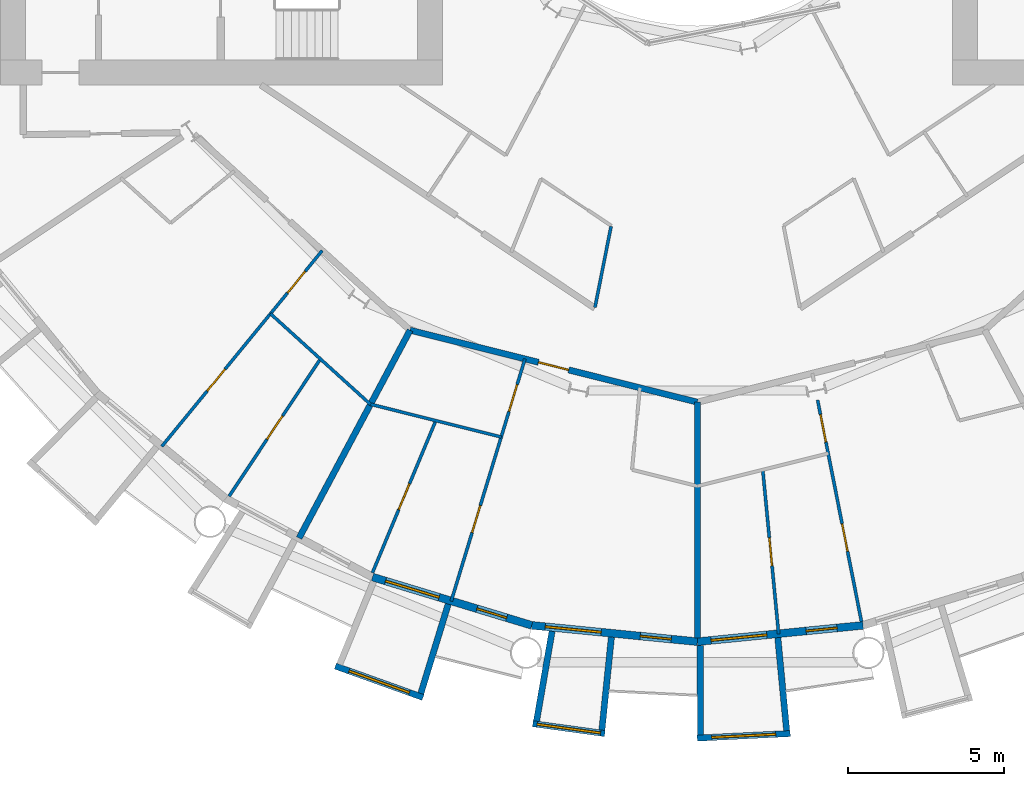
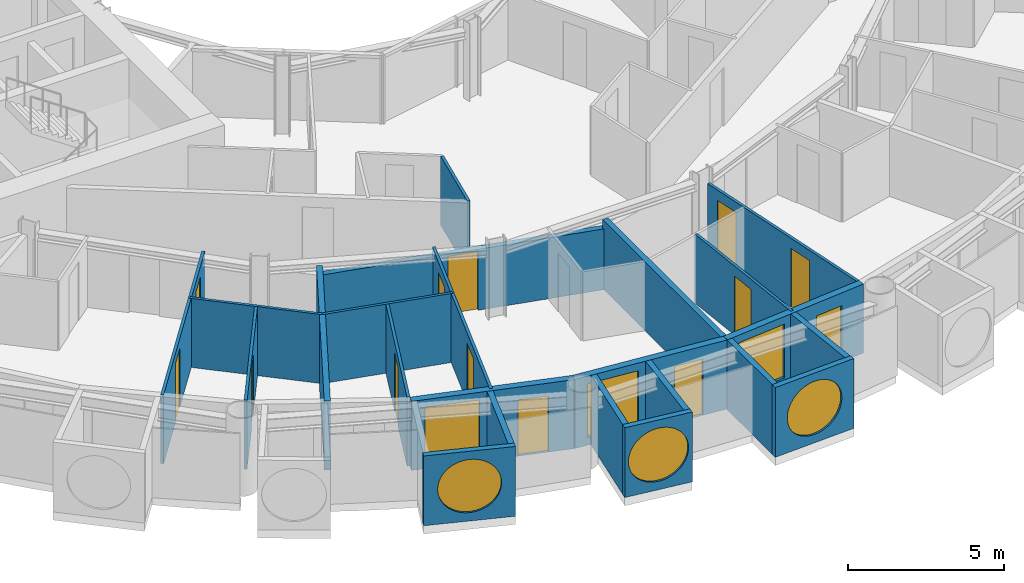
# One storey, part 13 of 26: 23 walls, 13 doors, 6 windows, 19 openings.
"""IFC4 building model written with IfcOpenShell, lengths in metres."""

from ifc_helpers import new_model, si_unit, direction, frame, frame_2d, origin, place, context, subcontext, project, spatial, rectangle, circle, extrude, material, layer, layer_set, type_object, element, fill, save


model = new_model("IFC4")

# Units and contexts
model_context = context("Model", 3, precision=1e-05, world=origin(), true_north=direction((0.0, 1.0)))
body_context = subcontext(model_context, "Body", "Model", "MODEL_VIEW")
ifc_project = project(units=[si_unit("LENGTHUNIT", "METRE"), si_unit("AREAUNIT", "SQUARE_METRE"), si_unit("VOLUMEUNIT", "CUBIC_METRE"), si_unit("PLANEANGLEUNIT", "RADIAN"), si_unit("MASSUNIT", "GRAM", prefix="KILO")], contexts=[model_context])

# Site, building, storey
site_placement = place(None, origin())
site = spatial("IfcSite", under=ifc_project, at=site_placement, CompositionType="ELEMENT")
building_placement = place(site_placement, origin())
building = spatial("IfcBuilding", under=site, at=building_placement, Name="Maasbend Ring Residences", CompositionType="ELEMENT")
storey_placement = place(building_placement, frame((0.0, 0.0, 28.89990234375)))
storey = spatial("IfcBuildingStorey", under=building, at=storey_placement, Name="L07", CompositionType="ELEMENT", Elevation=28.89990234375)

# Wall, opening, door
ifc_material_1 = material(Name="Concrete C30/37", Category="concrete")
ifc_layer_1 = layer(ifc_material_1, 0.199951171875)
ifc_layer_set_1 = layer_set([ifc_layer_1], Name="Concrete C30/37")
wall_type_1 = type_object("IfcWallType", Name="CORRIDOR WALL 200 CONCRETE", PredefinedType="PARTITIONING", material=ifc_layer_set_1)
wall_1_placement = place(storey_placement, frame((-9.241943359375, -17.283935546875, 0.0), z_axis=(0.0, 0.0, 1.0), x_axis=(0.970002158938, -0.243096301198, 0.0)))
wall_1 = element("IfcWall", 1, at=wall_1_placement, inside=storey, type_object=wall_type_1, Name="U-L07-w012", PredefinedType="PARTITIONING", context=body_context, shape_type="SweptSolid", body=[
    extrude(rectangle(XDim=9.52783203125, YDim=0.199951171875, at=frame_2d((4.763916015625, 0.0))), origin(), (0.0, 0.0, 1.0), 2.380126953125),
])
opening_1_placement = place(wall_1_placement, frame((4.261962890625, 0.0, 0.0)))
opening_1 = element("IfcOpeningElement", 2, at=opening_1_placement, cuts=wall_1, Name="Opening D-0734", PredefinedType="OPENING", context=body_context, shape_type="SweptSolid", body=[
    extrude(rectangle(XDim=1.0, YDim=2.300048828125, at=frame_2d((0.5, 1.14990234375))), frame((0.0, 0.10986328125, 0.0), z_axis=(0.0, -1.0, 0.0), x_axis=(1.0, 0.0, 0.0)), (0.0, 0.0, 1.0), 0.219970703125),
])
ifc_material_2 = material(Name="Timber, fire-rated, painted", Category="wood")
door_type_1 = type_object("IfcDoorType", Name="FLAT ENTRANCE DOOR 1000 X 2300 FIRE-RATED", OperationType="NOTDEFINED", PredefinedType="DOOR", material=ifc_material_2)
door_1_placement = place(opening_1_placement, origin())
door_1 = element("IfcDoor", 3, at=door_1_placement, inside=storey, type_object=door_type_1, Name="D-0734", OperationType="SINGLE_SWING_LEFT", OverallHeight=2.300048828125, OverallWidth=1.0, PredefinedType="DOOR", context=body_context, shape_type="SweptSolid", body=[
    extrude(rectangle(XDim=1.0, YDim=2.300048828125, at=frame_2d((0.5, 1.14990234375))), frame((0.0, 0.02490234375, 0.0), z_axis=(0.0, -1.0, 0.0), x_axis=(1.0, 0.0, 0.0)), (0.0, 0.0, 1.0), 0.050048828125),
])
fill(opening_1, door_1)

# Wall, opening, window
ifc_material_3 = material(Name="Pale anodised aluminium panel", Category="aluminium")
ifc_layer_2 = layer(ifc_material_3, 0.199951171875)
ifc_layer_set_2 = layer_set([ifc_layer_2], Name="EW-BOX")
wall_type_2 = type_object("IfcWallType", Name="EW-BOX", PredefinedType="SOLIDWALL", material=ifc_layer_set_2)
wall_2_placement = place(storey_placement, frame((-11.637939453125, -28.083984375, -0.02978515625), z_axis=(0.0, 0.0, 1.0), x_axis=(0.941461077774, -0.337121697664, 0.0)))
wall_2 = element("IfcWall", 4, at=wall_2_placement, inside=storey, type_object=wall_type_2, Name="Box front S07", PredefinedType="SOLIDWALL", context=body_context, shape_type="SweptSolid", body=[
    extrude(rectangle(XDim=2.9931640625, YDim=0.199951171875, at=frame_2d((1.49658203125, 0.0))), origin(), (0.0, 0.0, 1.0), 2.72998046875),
])
opening_2_placement = place(wall_2_placement, frame((0.45654296875, 0.0, 0.330078125)))
opening_2 = element("IfcOpeningElement", 5, at=opening_2_placement, cuts=wall_2, Name="Opening W-RD", PredefinedType="OPENING", context=body_context, shape_type="SweptSolid", body=[
    extrude(circle(Radius=1.0400390625, at=frame_2d((1.0400390625, 1.0400390625))), frame((0.0, 0.10986328125, 0.0), z_axis=(0.0, -1.0, 0.0), x_axis=(1.0, 0.0, 0.0)), (0.0, 0.0, 1.0), 0.219970703125),
])
ifc_material_4 = material(Name="Aluminium and clear glass", Category="aluminium")
window_type_1 = type_object("IfcWindowType", Name="W-RD", PartitioningType="SINGLE_PANEL", PredefinedType="WINDOW", material=ifc_material_4)
window_1_placement = place(opening_2_placement, origin())
window_1 = element("IfcWindow", 6, at=window_1_placement, inside=storey, type_object=window_type_1, Name="Round window S07", OverallHeight=2.080078125, OverallWidth=2.080078125, PartitioningType="SINGLE_PANEL", PredefinedType="WINDOW", context=body_context, shape_type="SweptSolid", body=[
    extrude(circle(Radius=1.0400390625, at=frame_2d((1.0400390625, 1.0400390625))), frame((0.0, 0.030029296875, 0.0), z_axis=(0.0, -1.0, 0.0), x_axis=(1.0, 0.0, 0.0)), (0.0, 0.0, 1.0), 0.06005859375),
])
fill(opening_2, window_1)

# Wall
wall_3_placement = place(storey_placement, frame((-8.009033203125, -26.092041015625, -0.02978515625), z_axis=(0.0, 0.0, 1.0), x_axis=(-0.293406695073, -0.955987715029, 0.0)))
element("IfcWall", 7, at=wall_3_placement, inside=storey, type_object=wall_type_2, Name="Box side wall S07 right", PredefinedType="SOLIDWALL", context=body_context, shape_type="SweptSolid", body=[
    extrude(rectangle(XDim=3.00634765625, YDim=0.199951171875, at=frame_2d((1.503173828125, 0.0))), origin(), (0.0, 0.0, 1.0), 2.72998046875),
])

# Wall, opening, window
wall_4_placement = place(storey_placement, frame((-5.2900390625, -29.93603515625, -0.02978515625), z_axis=(0.0, 0.0, 1.0), x_axis=(0.990696111261, -0.136092671119, 0.0)))
wall_4 = element("IfcWall", 8, at=wall_4_placement, inside=storey, type_object=wall_type_2, Name="Box front S09", PredefinedType="SOLIDWALL", context=body_context, shape_type="SweptSolid", body=[
    extrude(rectangle(XDim=2.335693359375, YDim=0.199951171875, at=frame_2d((1.16796875, 0.0))), origin(), (0.0, 0.0, 1.0), 2.72998046875),
])
opening_3_placement = place(wall_4_placement, frame((0.128173828125, 0.0, 0.330078125)))
opening_3 = element("IfcOpeningElement", 9, at=opening_3_placement, cuts=wall_4, Name="Opening W-RD", PredefinedType="OPENING", context=body_context, shape_type="SweptSolid", body=[
    extrude(circle(Radius=1.0400390625, at=frame_2d((1.0400390625, 1.0400390625))), frame((0.0, 0.10986328125, 0.0), z_axis=(0.0, -1.0, 0.0), x_axis=(1.0, 0.0, 0.0)), (0.0, 0.0, 1.0), 0.219970703125),
])
window_2_placement = place(opening_3_placement, origin())
window_2 = element("IfcWindow", 10, at=window_2_placement, inside=storey, type_object=window_type_1, Name="Round window S09", OverallHeight=2.080078125, OverallWidth=2.080078125, PartitioningType="SINGLE_PANEL", PredefinedType="WINDOW", context=body_context, shape_type="SweptSolid", body=[
    extrude(circle(Radius=1.0400390625, at=frame_2d((1.0400390625, 1.0400390625))), frame((0.0, 0.030029296875, 0.0), z_axis=(0.0, -1.0, 0.0), x_axis=(1.0, 0.0, 0.0)), (0.0, 0.0, 1.0), 0.06005859375),
])
fill(opening_3, window_2)

# Walls
wall_5_placement = place(storey_placement, frame((-4.6708984375, -26.966064453125, -0.02978515625), z_axis=(0.0, 0.0, 1.0), x_axis=(-0.170539878907, -0.985350774954, 0.0)))
element("IfcWall", 11, at=wall_5_placement, inside=storey, type_object=wall_type_2, Name="Box side wall S09 left", PredefinedType="SOLIDWALL", context=body_context, shape_type="SweptSolid", body=[
    extrude(rectangle(XDim=2.931884765625, YDim=0.199951171875, at=frame_2d((1.4658203125, 0.0))), origin(), (0.0, 0.0, 1.0), 2.72998046875),
])
wall_6_placement = place(storey_placement, frame((-2.763916015625, -27.153076171875, -0.02978515625), z_axis=(0.0, 0.0, 1.0), x_axis=(-0.101505487237, -0.994834979311, 0.0)))
element("IfcWall", 12, at=wall_6_placement, inside=storey, type_object=wall_type_2, Name="Box side wall S09 right", PredefinedType="SOLIDWALL", context=body_context, shape_type="SweptSolid", body=[
    extrude(rectangle(XDim=3.006591796875, YDim=0.199951171875, at=frame_2d((1.50341796875, 0.0))), origin(), (0.0, 0.0, 1.0), 2.72998046875),
])

# Wall, opening, window
wall_7_placement = place(storey_placement, frame((-0.0048828125, -30.39990234375, -0.02978515625), z_axis=(0.0, 0.0, 1.0), x_axis=(0.998794083011, 0.049095618353, 0.0)))
wall_7 = element("IfcWall", 13, at=wall_7_placement, inside=storey, type_object=wall_type_2, Name="Box front S11", PredefinedType="SOLIDWALL", context=body_context, shape_type="SweptSolid", body=[
    extrude(rectangle(XDim=2.99365234375, YDim=0.199951171875, at=frame_2d((1.496826171875, 0.0))), origin(), (0.0, 0.0, 1.0), 2.72998046875),
])
opening_4_placement = place(wall_7_placement, frame((0.45654296875, 0.0, 0.330078125)))
opening_4 = element("IfcOpeningElement", 14, at=opening_4_placement, cuts=wall_7, Name="Opening W-RD", PredefinedType="OPENING", context=body_context, shape_type="SweptSolid", body=[
    extrude(circle(Radius=1.0400390625, at=frame_2d((1.0400390625, 1.0400390625))), frame((0.0, 0.10986328125, 0.0), z_axis=(0.0, -1.0, 0.0), x_axis=(1.0, 0.0, 0.0)), (0.0, 0.0, 1.0), 0.219970703125),
])
window_3_placement = place(opening_4_placement, origin())
window_3 = element("IfcWindow", 15, at=window_3_placement, inside=storey, type_object=window_type_1, Name="Round window S11", OverallHeight=2.080078125, OverallWidth=2.080078125, PartitioningType="SINGLE_PANEL", PredefinedType="WINDOW", context=body_context, shape_type="SweptSolid", body=[
    extrude(circle(Radius=1.0400390625, at=frame_2d((1.0400390625, 1.0400390625))), frame((0.0, 0.030029296875, 0.0), z_axis=(0.0, -1.0, 0.0), x_axis=(1.0, 0.0, 0.0)), (0.0, 0.0, 1.0), 0.06005859375),
])
fill(opening_4, window_3)

# Walls
wall_8_placement = place(storey_placement, frame((0.090087890625, -27.4169921875, -0.02978515625), z_axis=(0.0, 0.0, 1.0), x_axis=(0.00347308367, -0.999993968827, 0.0)))
element("IfcWall", 16, at=wall_8_placement, inside=storey, type_object=wall_type_2, Name="Box side wall S11 left", PredefinedType="SOLIDWALL", context=body_context, shape_type="SweptSolid", body=[
    extrude(rectangle(XDim=2.882080078125, YDim=0.199951171875, at=frame_2d((1.44091796875, 0.0))), origin(), (0.0, 0.0, 1.0), 2.72998046875),
])
wall_9_placement = place(storey_placement, frame((2.5859375, -27.1708984375, -0.02978515625), z_axis=(0.0, 0.0, 1.0), x_axis=(0.094548432284, -0.995520262954, 0.0)))
element("IfcWall", 17, at=wall_9_placement, inside=storey, type_object=wall_type_2, Name="Box side wall S11 right", PredefinedType="SOLIDWALL", context=body_context, shape_type="SweptSolid", body=[
    extrude(rectangle(XDim=3.005615234375, YDim=0.199951171875, at=frame_2d((1.5029296875, 0.0))), origin(), (0.0, 0.0, 1.0), 2.72998046875),
])

# Wall, openings, door, window
ifc_material_5 = material(Name="Aluminium clad insulated panel", Category="aluminium")
ifc_layer_3 = layer(ifc_material_5, 0.25)
ifc_layer_set_3 = layer_set([ifc_layer_3], Name="EW-GL")
wall_type_3 = type_object("IfcWallType", Name="EW-GL", PredefinedType="SOLIDWALL", material=ifc_layer_set_3)
wall_10_placement = place(storey_placement, frame((-10.447021484375, -25.221923828125, 0.0), z_axis=(0.0, 0.0, 1.0), x_axis=(0.956965678721, -0.290201119486, 0.0)))
wall_10 = element("IfcWall", 18, at=wall_10_placement, inside=storey, type_object=wall_type_3, Name="External wall S04", PredefinedType="SOLIDWALL", context=body_context, shape_type="SweptSolid", body=[
    extrude(rectangle(XDim=5.351318359375, YDim=0.25, at=frame_2d((2.67578125, 0.0))), origin(), (0.0, 0.0, 1.0), 2.7001953125),
])
opening_5_placement = place(wall_10_placement, frame((0.441162109375, 0.0, 0.300048828125)))
opening_5 = element("IfcOpeningElement", 19, at=opening_5_placement, cuts=wall_10, Name="Opening W-BX", PredefinedType="OPENING", context=body_context, shape_type="SweptSolid", body=[
    extrude(rectangle(XDim=1.800048828125, YDim=2.10009765625, at=frame_2d((0.89990234375, 1.050048828125))), frame((0.0, 0.135009765625, 0.0), z_axis=(0.0, -1.0, 0.0), x_axis=(1.0, 0.0, 0.0)), (0.0, 0.0, 1.0), 0.27001953125),
])
opening_6_placement = place(wall_10_placement, frame((3.510498046875, 0.0, 0.0)))
opening_6 = element("IfcOpeningElement", 20, at=opening_6_placement, cuts=wall_10, Name="Opening D-LG", PredefinedType="OPENING", context=body_context, shape_type="SweptSolid", body=[
    extrude(rectangle(XDim=1.0, YDim=2.199951171875, at=frame_2d((0.5, 1.10009765625))), frame((0.0, 0.135009765625, 0.0), z_axis=(0.0, -1.0, 0.0), x_axis=(1.0, 0.0, 0.0)), (0.0, 0.0, 1.0), 0.27001953125),
])
ifc_material_6 = material(Name="Aluminium and clear glass", Category="aluminium")
door_type_2 = type_object("IfcDoorType", Name="D-LG", OperationType="SINGLE_SWING_LEFT", PredefinedType="DOOR", material=ifc_material_6)
door_2_placement = place(opening_6_placement, origin())
door_2 = element("IfcDoor", 21, at=door_2_placement, inside=storey, type_object=door_type_2, Name="Loggia door S08", OperationType="SINGLE_SWING_LEFT", OverallHeight=2.199951171875, OverallWidth=1.0, PredefinedType="DOOR", context=body_context, shape_type="SweptSolid", body=[
    extrude(rectangle(XDim=1.0, YDim=2.199951171875, at=frame_2d((0.5, 1.10009765625))), frame((0.0, 0.02490234375, 0.0), z_axis=(0.0, -1.0, 0.0), x_axis=(1.0, 0.0, 0.0)), (0.0, 0.0, 1.0), 0.050048828125),
])
fill(opening_6, door_2)
ifc_material_7 = material(Name="Aluminium and clear glass", Category="aluminium")
window_type_2 = type_object("IfcWindowType", Name="W-BX", PartitioningType="DOUBLE_PANEL_VERTICAL", PredefinedType="WINDOW", material=ifc_material_7)
window_4_placement = place(opening_5_placement, origin())
window_4 = element("IfcWindow", 22, at=window_4_placement, inside=storey, type_object=window_type_2, Name="Window S07 room to box", OverallHeight=2.10009765625, OverallWidth=1.800048828125, PartitioningType="SINGLE_PANEL", PredefinedType="WINDOW", context=body_context, shape_type="SweptSolid", body=[
    extrude(rectangle(XDim=1.800048828125, YDim=2.10009765625, at=frame_2d((0.89990234375, 1.050048828125))), frame((0.0, 0.030029296875, 0.0), z_axis=(0.0, -1.0, 0.0), x_axis=(1.0, 0.0, 0.0)), (0.0, 0.0, 1.0), 0.06005859375),
])
fill(opening_5, window_4)

wall_11_placement = place(storey_placement, frame((-5.325927734375, -26.77490234375, 0.0), z_axis=(0.0, 0.0, 1.0), x_axis=(0.995173996315, -0.098126026407, 0.0)))
wall_11 = element("IfcWall", 23, at=wall_11_placement, inside=storey, type_object=wall_type_3, Name="External wall S05", PredefinedType="SOLIDWALL", context=body_context, shape_type="SweptSolid", body=[
    extrude(rectangle(XDim=5.351806640625, YDim=0.25, at=frame_2d((2.67578125, 0.0))), origin(), (0.0, 0.0, 1.0), 2.7001953125),
])
opening_7_placement = place(wall_11_placement, frame((0.441162109375, 0.0, 0.300048828125)))
opening_7 = element("IfcOpeningElement", 24, at=opening_7_placement, cuts=wall_11, Name="Opening W-BX", PredefinedType="OPENING", context=body_context, shape_type="SweptSolid", body=[
    extrude(rectangle(XDim=1.800048828125, YDim=2.10009765625, at=frame_2d((0.89990234375, 1.050048828125))), frame((0.0, 0.135009765625, 0.0), z_axis=(0.0, -1.0, 0.0), x_axis=(1.0, 0.0, 0.0)), (0.0, 0.0, 1.0), 0.27001953125),
])
opening_8_placement = place(wall_11_placement, frame((3.510498046875, 0.0, 0.0)))
opening_8 = element("IfcOpeningElement", 25, at=opening_8_placement, cuts=wall_11, Name="Opening D-LG", PredefinedType="OPENING", context=body_context, shape_type="SweptSolid", body=[
    extrude(rectangle(XDim=1.0, YDim=2.199951171875, at=frame_2d((0.5, 1.10009765625))), frame((0.0, 0.135009765625, 0.0), z_axis=(0.0, -1.0, 0.0), x_axis=(1.0, 0.0, 0.0)), (0.0, 0.0, 1.0), 0.27001953125),
])
door_3_placement = place(opening_8_placement, origin())
door_3 = element("IfcDoor", 26, at=door_3_placement, inside=storey, type_object=door_type_2, Name="Loggia door S10", OperationType="SINGLE_SWING_LEFT", OverallHeight=2.199951171875, OverallWidth=1.0, PredefinedType="DOOR", context=body_context, shape_type="SweptSolid", body=[
    extrude(rectangle(XDim=1.0, YDim=2.199951171875, at=frame_2d((0.5, 1.10009765625))), frame((0.0, 0.02490234375, 0.0), z_axis=(0.0, -1.0, 0.0), x_axis=(1.0, 0.0, 0.0)), (0.0, 0.0, 1.0), 0.050048828125),
])
fill(opening_8, door_3)
window_5_placement = place(opening_7_placement, origin())
window_5 = element("IfcWindow", 27, at=window_5_placement, inside=storey, type_object=window_type_2, Name="Window S09 room to box", OverallHeight=2.10009765625, OverallWidth=1.800048828125, PartitioningType="SINGLE_PANEL", PredefinedType="WINDOW", context=body_context, shape_type="SweptSolid", body=[
    extrude(rectangle(XDim=1.800048828125, YDim=2.10009765625, at=frame_2d((0.89990234375, 1.050048828125))), frame((0.0, 0.030029296875, 0.0), z_axis=(0.0, -1.0, 0.0), x_axis=(1.0, 0.0, 0.0)), (0.0, 0.0, 1.0), 0.06005859375),
])
fill(opening_7, window_5)

wall_12_placement = place(storey_placement, frame((0.0, -27.300048828125, 0.0), z_axis=(0.0, 0.0, 1.0), x_axis=(0.995173996315, 0.098126026407, 0.0)))
wall_12 = element("IfcWall", 28, at=wall_12_placement, inside=storey, type_object=wall_type_3, Name="External wall S06", PredefinedType="SOLIDWALL", context=body_context, shape_type="SweptSolid", body=[
    extrude(rectangle(XDim=5.351806640625, YDim=0.25, at=frame_2d((2.67578125, 0.0))), origin(), (0.0, 0.0, 1.0), 2.7001953125),
])
opening_9_placement = place(wall_12_placement, frame((0.441162109375, 0.0, 0.300048828125)))
opening_9 = element("IfcOpeningElement", 29, at=opening_9_placement, cuts=wall_12, Name="Opening W-BX", PredefinedType="OPENING", context=body_context, shape_type="SweptSolid", body=[
    extrude(rectangle(XDim=1.800048828125, YDim=2.10009765625, at=frame_2d((0.89990234375, 1.050048828125))), frame((0.0, 0.135009765625, 0.0), z_axis=(0.0, -1.0, 0.0), x_axis=(1.0, 0.0, 0.0)), (0.0, 0.0, 1.0), 0.27001953125),
])
opening_10_placement = place(wall_12_placement, frame((3.510498046875, 0.0, 0.0)))
opening_10 = element("IfcOpeningElement", 30, at=opening_10_placement, cuts=wall_12, Name="Opening D-LG", PredefinedType="OPENING", context=body_context, shape_type="SweptSolid", body=[
    extrude(rectangle(XDim=1.0, YDim=2.199951171875, at=frame_2d((0.5, 1.10009765625))), frame((0.0, 0.135009765625, 0.0), z_axis=(0.0, -1.0, 0.0), x_axis=(1.0, 0.0, 0.0)), (0.0, 0.0, 1.0), 0.27001953125),
])
door_4_placement = place(opening_10_placement, origin())
door_4 = element("IfcDoor", 31, at=door_4_placement, inside=storey, type_object=door_type_2, Name="Loggia door S12", OperationType="SINGLE_SWING_LEFT", OverallHeight=2.199951171875, OverallWidth=1.0, PredefinedType="DOOR", context=body_context, shape_type="SweptSolid", body=[
    extrude(rectangle(XDim=1.0, YDim=2.199951171875, at=frame_2d((0.5, 1.10009765625))), frame((0.0, 0.02490234375, 0.0), z_axis=(0.0, -1.0, 0.0), x_axis=(1.0, 0.0, 0.0)), (0.0, 0.0, 1.0), 0.050048828125),
])
fill(opening_10, door_4)
window_6_placement = place(opening_9_placement, origin())
window_6 = element("IfcWindow", 32, at=window_6_placement, inside=storey, type_object=window_type_2, Name="Window S11 room to box", OverallHeight=2.10009765625, OverallWidth=1.800048828125, PartitioningType="SINGLE_PANEL", PredefinedType="WINDOW", context=body_context, shape_type="SweptSolid", body=[
    extrude(rectangle(XDim=1.800048828125, YDim=2.10009765625, at=frame_2d((0.89990234375, 1.050048828125))), frame((0.0, 0.030029296875, 0.0), z_axis=(0.0, -1.0, 0.0), x_axis=(1.0, 0.0, 0.0)), (0.0, 0.0, 1.0), 0.06005859375),
])
fill(opening_9, window_6)

# Walls
ifc_material_8 = material(Name="Gypsum board on steel studs", Category="steel")
ifc_layer_4 = layer(ifc_material_8, 0.10009765625)
ifc_layer_set_4 = layer_set([ifc_layer_4], Name="PARTITION 100 GYPSUM")
wall_type_4 = type_object("IfcWallType", Name="PARTITION 100 GYPSUM", PredefinedType="PARTITIONING", material=ifc_layer_set_4)
wall_13_placement = place(storey_placement, frame((-13.72705078125, -16.75390625, 0.0), z_axis=(0.0, 0.0, 1.0), x_axis=(0.740840803797, -0.671680655839, 0.0)))
element("IfcWall", 33, at=wall_13_placement, inside=storey, type_object=wall_type_4, Name="U-L07-w004", PredefinedType="PARTITIONING", context=body_context, shape_type="SweptSolid", body=[
    extrude(rectangle(XDim=4.33837890625, YDim=0.10009765625, at=frame_2d((2.169189453125, 0.0))), origin(), (0.0, 0.0, 1.0), 2.7001953125),
])
wall_14_placement = place(storey_placement, frame((-10.51611328125, -19.666015625, 0.0), z_axis=(0.0, 0.0, 1.0), x_axis=(0.97005315629, -0.242892721118, 0.0)))
element("IfcWall", 34, at=wall_14_placement, inside=storey, type_object=wall_type_4, Name="U-L07-w005", PredefinedType="PARTITIONING", context=body_context, shape_type="SweptSolid", body=[
    extrude(rectangle(XDim=4.34326171875, YDim=0.10009765625, at=frame_2d((2.171630859375, 0.0))), origin(), (0.0, 0.0, 1.0), 2.7001953125),
])

# Wall, openings, doors
wall_15_placement = place(storey_placement, frame((-17.218994140625, -21.02294921875, 0.0), z_axis=(0.0, 0.0, 1.0), x_axis=(0.633664062855, 0.773608334654, 0.0)))
wall_15 = element("IfcWall", 35, at=wall_15_placement, inside=storey, type_object=wall_type_4, Name="U-L07-w029", PredefinedType="PARTITIONING", context=body_context, shape_type="SweptSolid", body=[
    extrude(rectangle(XDim=8.138427734375, YDim=0.10009765625, at=frame_2d((4.0693359375, 0.0))), origin(), (0.0, 0.0, 1.0), 2.7001953125),
])
opening_11_placement = place(wall_15_placement, frame((6.376953125, 0.0, 0.0)))
opening_11 = element("IfcOpeningElement", 36, at=opening_11_placement, cuts=wall_15, Name="Opening D-0731", PredefinedType="OPENING", context=body_context, shape_type="SweptSolid", body=[
    extrude(rectangle(XDim=0.89990234375, YDim=2.300048828125, at=frame_2d((0.449951171875, 1.14990234375))), frame((0.0, 0.06005859375, 0.0), z_axis=(0.0, -1.0, 0.0), x_axis=(1.0, 0.0, 0.0)), (0.0, 0.0, 1.0), 0.1201171875),
])
opening_12_placement = place(wall_15_placement, frame((2.30810546875, 0.0, 0.0)))
opening_12 = element("IfcOpeningElement", 37, at=opening_12_placement, cuts=wall_15, Name="Opening D-0732", PredefinedType="OPENING", context=body_context, shape_type="SweptSolid", body=[
    extrude(rectangle(XDim=0.89990234375, YDim=2.300048828125, at=frame_2d((0.449951171875, 1.14990234375))), frame((0.0, 0.06005859375, 0.0), z_axis=(0.0, -1.0, 0.0), x_axis=(1.0, 0.0, 0.0)), (0.0, 0.0, 1.0), 0.1201171875),
])
ifc_material_9 = material(Name="Timber, painted", Category="wood")
door_type_3 = type_object("IfcDoorType", Name="INTERNAL DOOR 900 X 2300", OperationType="NOTDEFINED", PredefinedType="DOOR", material=ifc_material_9)
door_5_placement = place(opening_11_placement, origin())
door_5 = element("IfcDoor", 38, at=door_5_placement, inside=storey, type_object=door_type_3, Name="D-0731", OperationType="SINGLE_SWING_RIGHT", OverallHeight=2.300048828125, OverallWidth=0.89990234375, PredefinedType="DOOR", context=body_context, shape_type="SweptSolid", body=[
    extrude(rectangle(XDim=0.89990234375, YDim=2.300048828125, at=frame_2d((0.449951171875, 1.14990234375))), frame((0.0, 0.02490234375, 0.0), z_axis=(0.0, -1.0, 0.0), x_axis=(1.0, 0.0, 0.0)), (0.0, 0.0, 1.0), 0.050048828125),
])
fill(opening_11, door_5)
door_6_placement = place(opening_12_placement, origin())
door_6 = element("IfcDoor", 39, at=door_6_placement, inside=storey, type_object=door_type_3, Name="D-0732", OperationType="SINGLE_SWING_LEFT", OverallHeight=2.300048828125, OverallWidth=0.89990234375, PredefinedType="DOOR", context=body_context, shape_type="SweptSolid", body=[
    extrude(rectangle(XDim=0.89990234375, YDim=2.300048828125, at=frame_2d((0.449951171875, 1.14990234375))), frame((0.0, 0.02490234375, 0.0), z_axis=(0.0, -1.0, 0.0), x_axis=(1.0, 0.0, 0.0)), (0.0, 0.0, 1.0), 0.050048828125),
])
fill(opening_12, door_6)

# Wall, opening, door
wall_16_placement = place(storey_placement, frame((-15.053955078125, -22.6240234375, 0.0), z_axis=(0.0, 0.0, 1.0), x_axis=(0.553913391217, 0.832574294, 0.0)))
wall_16 = element("IfcWall", 40, at=wall_16_placement, inside=storey, type_object=wall_type_4, Name="U-L07-w033", PredefinedType="PARTITIONING", context=body_context, shape_type="SweptSolid", body=[
    extrude(rectangle(XDim=5.300537109375, YDim=0.10009765625, at=frame_2d((2.650390625, 0.0))), origin(), (0.0, 0.0, 1.0), 2.7001953125),
])
opening_13_placement = place(wall_16_placement, frame((2.199951171875, 0.0, 0.0)))
opening_13 = element("IfcOpeningElement", 41, at=opening_13_placement, cuts=wall_16, Name="Opening D-0733", PredefinedType="OPENING", context=body_context, shape_type="SweptSolid", body=[
    extrude(rectangle(XDim=0.89990234375, YDim=2.300048828125, at=frame_2d((0.449951171875, 1.14990234375))), frame((0.0, 0.06005859375, 0.0), z_axis=(0.0, -1.0, 0.0), x_axis=(1.0, 0.0, 0.0)), (0.0, 0.0, 1.0), 0.1201171875),
])
door_7_placement = place(opening_13_placement, origin())
door_7 = element("IfcDoor", 42, at=door_7_placement, inside=storey, type_object=door_type_3, Name="D-0733", OperationType="SINGLE_SWING_RIGHT", OverallHeight=2.300048828125, OverallWidth=0.89990234375, PredefinedType="DOOR", context=body_context, shape_type="SweptSolid", body=[
    extrude(rectangle(XDim=0.89990234375, YDim=2.300048828125, at=frame_2d((0.449951171875, 1.14990234375))), frame((0.0, 0.02490234375, 0.0), z_axis=(0.0, -1.0, 0.0), x_axis=(1.0, 0.0, 0.0)), (0.0, 0.0, 1.0), 0.050048828125),
])
fill(opening_13, door_7)

wall_17_placement = place(storey_placement, frame((-10.447021484375, -25.0859375, 0.0), z_axis=(0.0, 0.0, 1.0), x_axis=(0.384363513821, 0.923181828917, 0.0)))
wall_17 = element("IfcWall", 43, at=wall_17_placement, inside=storey, type_object=wall_type_4, Name="U-L07-w035", PredefinedType="PARTITIONING", context=body_context, shape_type="SweptSolid", body=[
    extrude(rectangle(XDim=5.300048828125, YDim=0.10009765625, at=frame_2d((2.64990234375, 0.0))), origin(), (0.0, 0.0, 1.0), 2.7001953125),
])
opening_14_placement = place(wall_17_placement, frame((2.199951171875, 0.0, 0.0)))
opening_14 = element("IfcOpeningElement", 44, at=opening_14_placement, cuts=wall_17, Name="Opening D-0738", PredefinedType="OPENING", context=body_context, shape_type="SweptSolid", body=[
    extrude(rectangle(XDim=0.89990234375, YDim=2.300048828125, at=frame_2d((0.449951171875, 1.14990234375))), frame((0.0, 0.06005859375, 0.0), z_axis=(0.0, -1.0, 0.0), x_axis=(1.0, 0.0, 0.0)), (0.0, 0.0, 1.0), 0.1201171875),
])
door_8_placement = place(opening_14_placement, origin())
door_8 = element("IfcDoor", 45, at=door_8_placement, inside=storey, type_object=door_type_3, Name="D-0738", OperationType="SINGLE_SWING_RIGHT", OverallHeight=2.300048828125, OverallWidth=0.89990234375, PredefinedType="DOOR", context=body_context, shape_type="SweptSolid", body=[
    extrude(rectangle(XDim=0.89990234375, YDim=2.300048828125, at=frame_2d((0.449951171875, 1.14990234375))), frame((0.0, 0.02490234375, 0.0), z_axis=(0.0, -1.0, 0.0), x_axis=(1.0, 0.0, 0.0)), (0.0, 0.0, 1.0), 0.050048828125),
])
fill(opening_14, door_8)

# Wall, openings, doors
wall_18_placement = place(storey_placement, frame((-7.9140625, -25.9970703125, 0.0), z_axis=(0.0, 0.0, 1.0), x_axis=(0.291319167605, 0.956625915698, 0.0)))
wall_18 = element("IfcWall", 46, at=wall_18_placement, inside=storey, type_object=wall_type_4, Name="U-L07-w040", PredefinedType="PARTITIONING", context=body_context, shape_type="SweptSolid", body=[
    extrude(rectangle(XDim=8.13916015625, YDim=0.10009765625, at=frame_2d((4.069580078125, 0.0))), origin(), (0.0, 0.0, 1.0), 2.7001953125),
])
opening_15_placement = place(wall_18_placement, frame((6.376953125, 0.0, 0.0)))
opening_15 = element("IfcOpeningElement", 47, at=opening_15_placement, cuts=wall_18, Name="Opening D-0736", PredefinedType="OPENING", context=body_context, shape_type="SweptSolid", body=[
    extrude(rectangle(XDim=0.89990234375, YDim=2.300048828125, at=frame_2d((0.449951171875, 1.14990234375))), frame((0.0, 0.06005859375, 0.0), z_axis=(0.0, -1.0, 0.0), x_axis=(1.0, 0.0, 0.0)), (0.0, 0.0, 1.0), 0.1201171875),
])
opening_16_placement = place(wall_18_placement, frame((2.30810546875, 0.0, 0.0)))
opening_16 = element("IfcOpeningElement", 48, at=opening_16_placement, cuts=wall_18, Name="Opening D-0737", PredefinedType="OPENING", context=body_context, shape_type="SweptSolid", body=[
    extrude(rectangle(XDim=0.89990234375, YDim=2.300048828125, at=frame_2d((0.449951171875, 1.14990234375))), frame((0.0, 0.06005859375, 0.0), z_axis=(0.0, -1.0, 0.0), x_axis=(1.0, 0.0, 0.0)), (0.0, 0.0, 1.0), 0.1201171875),
])
door_9_placement = place(opening_15_placement, origin())
door_9 = element("IfcDoor", 49, at=door_9_placement, inside=storey, type_object=door_type_3, Name="D-0736", OperationType="SINGLE_SWING_RIGHT", OverallHeight=2.300048828125, OverallWidth=0.89990234375, PredefinedType="DOOR", context=body_context, shape_type="SweptSolid", body=[
    extrude(rectangle(XDim=0.89990234375, YDim=2.300048828125, at=frame_2d((0.449951171875, 1.14990234375))), frame((0.0, 0.02490234375, 0.0), z_axis=(0.0, -1.0, 0.0), x_axis=(1.0, 0.0, 0.0)), (0.0, 0.0, 1.0), 0.050048828125),
])
fill(opening_15, door_9)
door_10_placement = place(opening_16_placement, origin())
door_10 = element("IfcDoor", 50, at=door_10_placement, inside=storey, type_object=door_type_3, Name="D-0737", OperationType="SINGLE_SWING_LEFT", OverallHeight=2.300048828125, OverallWidth=0.89990234375, PredefinedType="DOOR", context=body_context, shape_type="SweptSolid", body=[
    extrude(rectangle(XDim=0.89990234375, YDim=2.300048828125, at=frame_2d((0.449951171875, 1.14990234375))), frame((0.0, 0.02490234375, 0.0), z_axis=(0.0, -1.0, 0.0), x_axis=(1.0, 0.0, 0.0)), (0.0, 0.0, 1.0), 0.050048828125),
])
fill(opening_16, door_10)

# Wall, opening, door
wall_19_placement = place(storey_placement, frame((2.10205078125, -21.77294921875, 0.0), z_axis=(0.0, 0.0, 1.0), x_axis=(0.096215269366, -0.995360548716, 0.0)))
wall_19 = element("IfcWall", 51, at=wall_19_placement, inside=storey, type_object=wall_type_4, Name="U-L07-w051", PredefinedType="PARTITIONING", context=body_context, shape_type="SweptSolid", body=[
    extrude(rectangle(XDim=5.30078125, YDim=0.10009765625, at=frame_2d((2.650390625, 0.0))), origin(), (0.0, 0.0, 1.0), 2.7001953125),
])
opening_17_placement = place(wall_19_placement, frame((2.199951171875, 0.0, 0.0)))
opening_17 = element("IfcOpeningElement", 52, at=opening_17_placement, cuts=wall_19, Name="Opening D-0743", PredefinedType="OPENING", context=body_context, shape_type="SweptSolid", body=[
    extrude(rectangle(XDim=0.89990234375, YDim=2.300048828125, at=frame_2d((0.449951171875, 1.14990234375))), frame((0.0, 0.06005859375, 0.0), z_axis=(0.0, -1.0, 0.0), x_axis=(1.0, 0.0, 0.0)), (0.0, 0.0, 1.0), 0.1201171875),
])
door_11_placement = place(opening_17_placement, origin())
door_11 = element("IfcDoor", 53, at=door_11_placement, inside=storey, type_object=door_type_3, Name="D-0743", OperationType="SINGLE_SWING_RIGHT", OverallHeight=2.300048828125, OverallWidth=0.89990234375, PredefinedType="DOOR", context=body_context, shape_type="SweptSolid", body=[
    extrude(rectangle(XDim=0.89990234375, YDim=2.300048828125, at=frame_2d((0.449951171875, 1.14990234375))), frame((0.0, 0.02490234375, 0.0), z_axis=(0.0, -1.0, 0.0), x_axis=(1.0, 0.0, 0.0)), (0.0, 0.0, 1.0), 0.050048828125),
])
fill(opening_17, door_11)

# Wall, openings, doors
wall_20_placement = place(storey_placement, frame((3.864990234375, -19.531005859375, 0.0), z_axis=(0.0, 0.0, 1.0), x_axis=(0.194196464481, -0.980962656365, 0.0)))
wall_20 = element("IfcWall", 54, at=wall_20_placement, inside=storey, type_object=wall_type_4, Name="U-L07-w055", PredefinedType="PARTITIONING", context=body_context, shape_type="SweptSolid", body=[
    extrude(rectangle(XDim=7.265380859375, YDim=0.10009765625, at=frame_2d((3.6328125, 0.0))), origin(), (0.0, 0.0, 1.0), 2.7001953125),
])
opening_18_placement = place(wall_20_placement, frame((0.47607421875, 0.0, 0.0)))
opening_18 = element("IfcOpeningElement", 55, at=opening_18_placement, cuts=wall_20, Name="Opening D-0741", PredefinedType="OPENING", context=body_context, shape_type="SweptSolid", body=[
    extrude(rectangle(XDim=0.89990234375, YDim=2.300048828125, at=frame_2d((0.449951171875, 1.14990234375))), frame((0.0, 0.06005859375, 0.0), z_axis=(0.0, -1.0, 0.0), x_axis=(1.0, 0.0, 0.0)), (0.0, 0.0, 1.0), 0.1201171875),
])
opening_19_placement = place(wall_20_placement, frame((4.05810546875, 0.0, 0.0)))
opening_19 = element("IfcOpeningElement", 56, at=opening_19_placement, cuts=wall_20, Name="Opening D-0742", PredefinedType="OPENING", context=body_context, shape_type="SweptSolid", body=[
    extrude(rectangle(XDim=0.89990234375, YDim=2.300048828125, at=frame_2d((0.449951171875, 1.14990234375))), frame((0.0, 0.06005859375, 0.0), z_axis=(0.0, -1.0, 0.0), x_axis=(1.0, 0.0, 0.0)), (0.0, 0.0, 1.0), 0.1201171875),
])
door_12_placement = place(opening_18_placement, origin())
door_12 = element("IfcDoor", 57, at=door_12_placement, inside=storey, type_object=door_type_3, Name="D-0741", OperationType="SINGLE_SWING_LEFT", OverallHeight=2.300048828125, OverallWidth=0.89990234375, PredefinedType="DOOR", context=body_context, shape_type="SweptSolid", body=[
    extrude(rectangle(XDim=0.89990234375, YDim=2.300048828125, at=frame_2d((0.449951171875, 1.14990234375))), frame((0.0, 0.02490234375, 0.0), z_axis=(0.0, -1.0, 0.0), x_axis=(1.0, 0.0, 0.0)), (0.0, 0.0, 1.0), 0.050048828125),
])
fill(opening_18, door_12)
door_13_placement = place(opening_19_placement, origin())
door_13 = element("IfcDoor", 58, at=door_13_placement, inside=storey, type_object=door_type_3, Name="D-0742", OperationType="SINGLE_SWING_RIGHT", OverallHeight=2.300048828125, OverallWidth=0.89990234375, PredefinedType="DOOR", context=body_context, shape_type="SweptSolid", body=[
    extrude(rectangle(XDim=0.89990234375, YDim=2.300048828125, at=frame_2d((0.449951171875, 1.14990234375))), frame((0.0, 0.02490234375, 0.0), z_axis=(0.0, -1.0, 0.0), x_axis=(1.0, 0.0, 0.0)), (0.0, 0.0, 1.0), 0.050048828125),
])
fill(opening_19, door_13)

# Walls
wall_21_placement = place(storey_placement, frame((-2.77392578125, -13.947998046875, 0.0), z_axis=(0.0, 0.0, 1.0), x_axis=(-0.195338620417, -0.980735858105, 0.0)))
element("IfcWall", 59, at=wall_21_placement, inside=storey, type_object=wall_type_4, Name="U-L07-w111", PredefinedType="PARTITIONING", context=body_context, shape_type="SweptSolid", body=[
    extrude(rectangle(XDim=2.6572265625, YDim=0.10009765625, at=frame_2d((1.32861328125, 0.0))), origin(), (0.0, 0.0, 1.0), 2.7001953125),
])
ifc_material_10 = material(Name="Concrete C30/37", Category="concrete")
ifc_layer_5 = layer(ifc_material_10, 0.199951171875)
ifc_layer_set_5 = layer_set([ifc_layer_5], Name="Concrete C30/37")
wall_type_5 = type_object("IfcWallType", Name="PARTY WALL 200 CONCRETE", PredefinedType="PARTITIONING", material=ifc_layer_set_5)
wall_22_placement = place(storey_placement, frame((-12.804931640625, -23.968017578125, 0.0), z_axis=(0.0, 0.0, 1.0), x_axis=(0.471173668908, 0.882040460369, 0.0)))
element("IfcWall", 60, at=wall_22_placement, inside=storey, type_object=wall_type_5, Name="U-L07-w034", PredefinedType="PARTITIONING", context=body_context, shape_type="SweptSolid", body=[
    extrude(rectangle(XDim=7.574462890625, YDim=0.199951171875, at=frame_2d((3.787109375, 0.0))), origin(), (0.0, 0.0, 1.0), 2.7001953125),
])
wall_23_placement = place(storey_placement, frame((0.0, -27.175048828125, 0.0), z_axis=(0.0, 0.0, 1.0), x_axis=(0.0, 1.0, 0.0)))
element("IfcWall", 61, at=wall_23_placement, inside=storey, type_object=wall_type_5, Name="U-L07-w048", PredefinedType="PARTITIONING", context=body_context, shape_type="SweptSolid", body=[
    extrude(rectangle(XDim=7.574951171875, YDim=0.199951171875, at=frame_2d((3.78759765625, 0.0))), origin(), (0.0, 0.0, 1.0), 2.7001953125),
])

save(model, "model.ifc")
